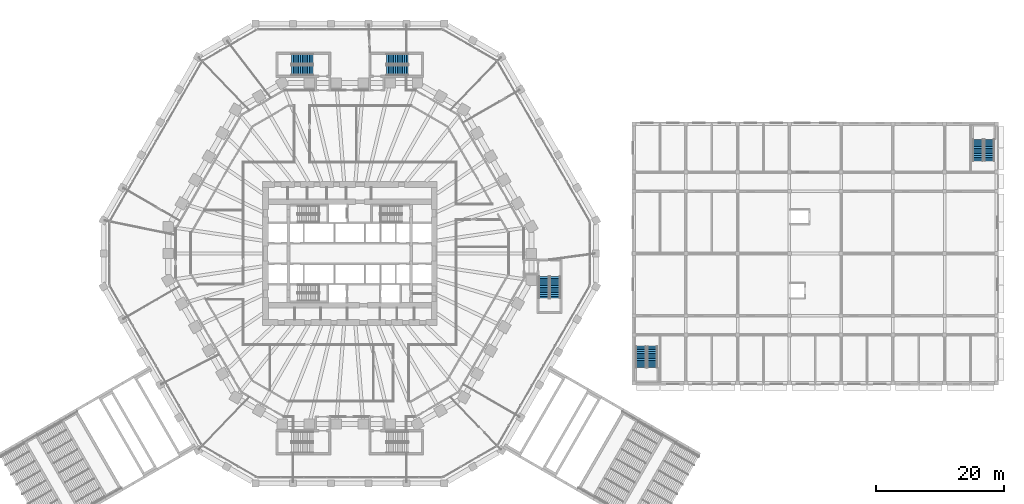
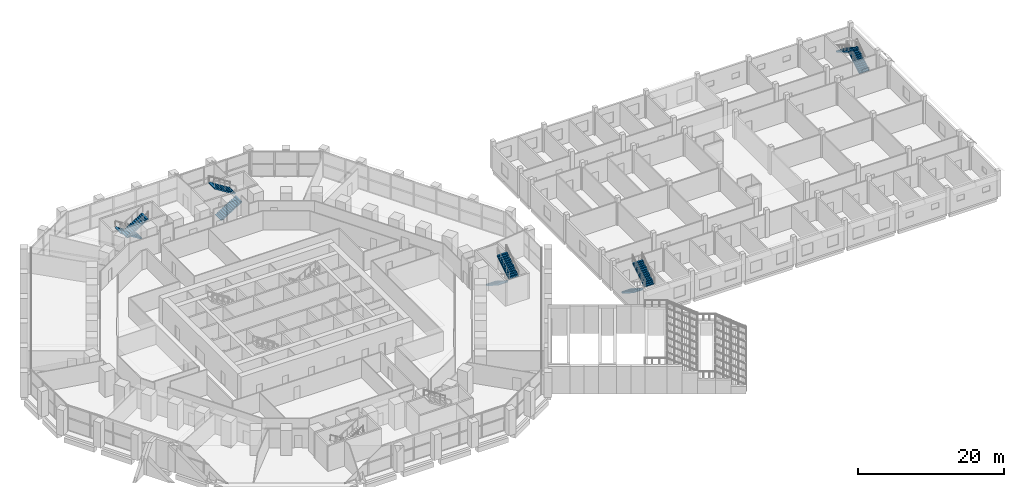
# One storey, part 31 of 38: 10 stair flights, 5 elements without a shape of their own.
"""IFC4 building model written with IfcOpenShell, lengths in metres."""

from ifc_helpers import new_model, si_unit, direction, frame, origin, place, context, subcontext, project, spatial, polyline, outline, extrude, material, layer, layer_set, type_object, element, aggregate, save


model = new_model("IFC4")

# Units and contexts
model_context = context("Model", 3, precision=1e-05, world=origin(), true_north=direction((0.0, 1.0)))
body_context = subcontext(model_context, "Body", "Model", "MODEL_VIEW")
ifc_project = project(units=[si_unit("LENGTHUNIT", "METRE"), si_unit("AREAUNIT", "SQUARE_METRE"), si_unit("VOLUMEUNIT", "CUBIC_METRE"), si_unit("PLANEANGLEUNIT", "RADIAN"), si_unit("MASSUNIT", "GRAM", prefix="KILO")], contexts=[model_context])

# Site, building, storey
site_placement = place(None, origin())
site = spatial("IfcSite", under=ifc_project, at=site_placement, CompositionType="ELEMENT")
building_placement = place(site_placement, origin())
building = spatial("IfcBuilding", under=site, at=building_placement, Name="Frailejon Research Tower", CompositionType="ELEMENT")
storey_placement = place(building_placement, frame((0.0, 0.0, 5.60009765625)))
storey = spatial("IfcBuildingStorey", under=building, at=storey_placement, Name="L01", CompositionType="ELEMENT", Elevation=5.60009765625)

# Stair, stair flights
ifc_material_1 = material(Name="Concrete C35/45", Category="concrete")
stair_type_1 = type_object("IfcStairType", Name="HC stair", PredefinedType="HALF_TURN_STAIR", material=ifc_material_1)
stair_1_placement = place(storey_placement, origin())
stair_1 = element("IfcStair", 1, at=stair_1_placement, inside=storey, type_object=stair_type_1, Name="L01 HC stair A", PredefinedType="HALF_TURN_STAIR")
ifc_material_2 = material(Name="Concrete C35/45", Category="concrete")
stair_flight_type_1 = type_object("IfcStairFlightType", Name="HC stair flight", PredefinedType="STRAIGHT", material=ifc_material_2)
stair_flight_1_placement = place(storey_placement, frame((45.60009765625, -14.5, 0.0), z_axis=(0.0, 0.0, 1.0), x_axis=(0.0, -1.0, 0.0)))
stair_flight_1 = element("IfcStairFlight", 2, at=stair_flight_1_placement, type_object=stair_flight_type_1, Name="HS-A flight 1", NumberOfRisers=13, NumberOfTreads=12, PredefinedType="STRAIGHT", RiserHeight=0.176923077, TreadLength=0.28, context=body_context, shape_type="SweptSolid", body=[
    extrude(outline(polyline([(0.0, 0.0), (0.0, 0.177001953125), (0.280029296875, 0.177001953125), (0.280029296875, 0.353759765625), (0.56005859375, 0.353759765625), (0.56005859375, 0.53076171875), (0.840087890625, 0.53076171875), (0.840087890625, 0.707763671875), (1.1201171875, 0.707763671875), (1.1201171875, 0.884521484375), (1.39990234375, 0.884521484375), (1.39990234375, 1.0615234375), (1.679931640625, 1.0615234375), (1.679931640625, 1.238525390625), (1.9599609375, 1.238525390625), (1.9599609375, 1.415283203125), (2.239990234375, 1.415283203125), (2.239990234375, 1.59228515625), (2.52001953125, 1.59228515625), (2.52001953125, 1.769287109375), (2.800048828125, 1.769287109375), (2.800048828125, 1.946044921875), (3.080078125, 1.946044921875), (3.080078125, 2.123046875), (3.360107421875, 2.123046875), (3.360107421875, 2.300048828125), (3.360107421875, 1.94580078125), (0.280517578125, 0.0), (0.0, 0.0)])), frame((0.0, 0.800048828125, 0.0), z_axis=(0.0, -1.0, 0.0), x_axis=(1.0, 0.0, 0.0)), (0.0, 0.0, 1.0), 1.60009765625),
])
stair_flight_2_placement = place(storey_placement, frame((47.35009765625, -17.860107421875, 2.2998046875), z_axis=(0.0, 0.0, 1.0), x_axis=(0.0, 1.0, 0.0)))
stair_flight_2 = element("IfcStairFlight", 3, at=stair_flight_2_placement, type_object=stair_flight_type_1, Name="HS-A flight 2", NumberOfRisers=13, NumberOfTreads=12, PredefinedType="STRAIGHT", RiserHeight=0.176923077, TreadLength=0.28, context=body_context, shape_type="SweptSolid", body=[
    extrude(outline(polyline([(0.0, 0.0), (0.0, 0.177001953125), (0.280029296875, 0.177001953125), (0.280029296875, 0.353759765625), (0.56005859375, 0.353759765625), (0.56005859375, 0.53076171875), (0.840087890625, 0.53076171875), (0.840087890625, 0.707763671875), (1.1201171875, 0.707763671875), (1.1201171875, 0.884521484375), (1.39990234375, 0.884521484375), (1.39990234375, 1.0615234375), (1.679931640625, 1.0615234375), (1.679931640625, 1.238525390625), (1.9599609375, 1.238525390625), (1.9599609375, 1.415283203125), (2.239990234375, 1.415283203125), (2.239990234375, 1.59228515625), (2.52001953125, 1.59228515625), (2.52001953125, 1.769287109375), (2.800048828125, 1.769287109375), (2.800048828125, 1.946044921875), (3.080078125, 1.946044921875), (3.080078125, 2.123046875), (3.360107421875, 2.123046875), (3.360107421875, 2.300048828125), (3.360107421875, 1.94580078125), (0.280517578125, 0.0), (0.0, 0.0)])), frame((0.0, 0.800048828125, 0.0), z_axis=(0.0, -1.0, 0.0), x_axis=(1.0, 0.0, 0.0)), (0.0, 0.0, 1.0), 1.60009765625),
])
aggregate(stair_1, [stair_flight_1, stair_flight_2])

stair_2_placement = place(storey_placement, origin())
stair_2 = element("IfcStair", 4, at=stair_2_placement, inside=storey, type_object=stair_type_1, Name="L01 HC stair B", PredefinedType="HALF_TURN_STAIR")
stair_flight_3_placement = place(storey_placement, frame((100.10009765625, 14.5, 0.0), z_axis=(0.0, 0.0, 1.0), x_axis=(0.0, 1.0, 0.0)))
stair_flight_3 = element("IfcStairFlight", 5, at=stair_flight_3_placement, type_object=stair_flight_type_1, Name="HS-B flight 1", NumberOfRisers=13, NumberOfTreads=12, PredefinedType="STRAIGHT", RiserHeight=0.176923077, TreadLength=0.28, context=body_context, shape_type="SweptSolid", body=[
    extrude(outline(polyline([(0.0, 0.0), (0.0, 0.177001953125), (0.280029296875, 0.177001953125), (0.280029296875, 0.353759765625), (0.56005859375, 0.353759765625), (0.56005859375, 0.53076171875), (0.840087890625, 0.53076171875), (0.840087890625, 0.707763671875), (1.1201171875, 0.707763671875), (1.1201171875, 0.884521484375), (1.39990234375, 0.884521484375), (1.39990234375, 1.0615234375), (1.679931640625, 1.0615234375), (1.679931640625, 1.238525390625), (1.9599609375, 1.238525390625), (1.9599609375, 1.415283203125), (2.239990234375, 1.415283203125), (2.239990234375, 1.59228515625), (2.52001953125, 1.59228515625), (2.52001953125, 1.769287109375), (2.800048828125, 1.769287109375), (2.800048828125, 1.946044921875), (3.080078125, 1.946044921875), (3.080078125, 2.123046875), (3.360107421875, 2.123046875), (3.360107421875, 2.300048828125), (3.360107421875, 1.94580078125), (0.280517578125, 0.0), (0.0, 0.0)])), frame((0.0, 0.800048828125, 0.0), z_axis=(0.0, -1.0, 0.0), x_axis=(1.0, 0.0, 0.0)), (0.0, 0.0, 1.0), 1.60009765625),
])
stair_flight_4_placement = place(storey_placement, frame((98.35009765625, 17.860107421875, 2.2998046875), z_axis=(0.0, 0.0, 1.0), x_axis=(0.0, -1.0, 0.0)))
stair_flight_4 = element("IfcStairFlight", 6, at=stair_flight_4_placement, type_object=stair_flight_type_1, Name="HS-B flight 2", NumberOfRisers=13, NumberOfTreads=12, PredefinedType="STRAIGHT", RiserHeight=0.176923077, TreadLength=0.28, context=body_context, shape_type="SweptSolid", body=[
    extrude(outline(polyline([(0.0, 0.0), (0.0, 0.177001953125), (0.280029296875, 0.177001953125), (0.280029296875, 0.353759765625), (0.56005859375, 0.353759765625), (0.56005859375, 0.53076171875), (0.840087890625, 0.53076171875), (0.840087890625, 0.707763671875), (1.1201171875, 0.707763671875), (1.1201171875, 0.884521484375), (1.39990234375, 0.884521484375), (1.39990234375, 1.0615234375), (1.679931640625, 1.0615234375), (1.679931640625, 1.238525390625), (1.9599609375, 1.238525390625), (1.9599609375, 1.415283203125), (2.239990234375, 1.415283203125), (2.239990234375, 1.59228515625), (2.52001953125, 1.59228515625), (2.52001953125, 1.769287109375), (2.800048828125, 1.769287109375), (2.800048828125, 1.946044921875), (3.080078125, 1.946044921875), (3.080078125, 2.123046875), (3.360107421875, 2.123046875), (3.360107421875, 2.300048828125), (3.360107421875, 1.94580078125), (0.280517578125, 0.0), (0.0, 0.0)])), frame((0.0, 0.800048828125, 0.0), z_axis=(0.0, -1.0, 0.0), x_axis=(1.0, 0.0, 0.0)), (0.0, 0.0, 1.0), 1.60009765625),
])
aggregate(stair_2, [stair_flight_3, stair_flight_4])

ifc_material_3 = material(Name="Concrete C50/60", Category="concrete")
stair_type_2 = type_object("IfcStairType", Name="Exit stair 26 risers", PredefinedType="HALF_TURN_STAIR", material=ifc_material_3)
stair_3_placement = place(storey_placement, origin())
stair_3 = element("IfcStair", 7, at=stair_3_placement, inside=storey, type_object=stair_type_2, Name="L01 Exit stair PS1", PredefinedType="HALF_TURN_STAIR")
ifc_material_4 = material(Name="Concrete C50/60", Category="concrete")
ifc_layer = layer(ifc_material_4, 0.14990234375)
ifc_layer_set = layer_set([ifc_layer], Name="Stair flight 13 risers")
stair_flight_type_2 = type_object("IfcStairFlightType", Name="Stair flight 13 risers", PredefinedType="STRAIGHT", material=ifc_layer_set)
stair_flight_5_placement = place(storey_placement, frame((-5.7568359375, 30.425048828125, 0.0), z_axis=(0.0, 0.0, 1.0), x_axis=(-1.0, 0.0, 0.0)))
stair_flight_5 = element("IfcStairFlight", 8, at=stair_flight_5_placement, type_object=stair_flight_type_2, Name="PS1 flight 1", NumberOfRisers=13, NumberOfTreads=12, PredefinedType="STRAIGHT", RiserHeight=0.176923077, TreadLength=0.28, context=body_context, shape_type="SweptSolid", body=[
    extrude(outline(polyline([(0.0, 0.0), (0.0, 0.177001953125), (0.280029296875, 0.177001953125), (0.280029296875, 0.353759765625), (0.56005859375, 0.353759765625), (0.56005859375, 0.53076171875), (0.840087890625, 0.53076171875), (0.840087890625, 0.707763671875), (1.1201171875, 0.707763671875), (1.1201171875, 0.884521484375), (1.39990234375, 0.884521484375), (1.39990234375, 1.0615234375), (1.679931640625, 1.0615234375), (1.679931640625, 1.238525390625), (1.9599609375, 1.238525390625), (1.9599609375, 1.415283203125), (2.239990234375, 1.415283203125), (2.239990234375, 1.59228515625), (2.52001953125, 1.59228515625), (2.52001953125, 1.769287109375), (2.800048828125, 1.769287109375), (2.800048828125, 1.946044921875), (3.080078125, 1.946044921875), (3.080078125, 2.123046875), (3.360107421875, 2.123046875), (3.360107421875, 2.300048828125), (3.360107421875, 1.94580078125), (0.280517578125, 0.0), (0.0, 0.0)])), frame((0.0, 0.800048828125, 0.0), z_axis=(0.0, -1.0, 0.0), x_axis=(1.0, 0.0, 0.0)), (0.0, 0.0, 1.0), 1.60009765625),
])
stair_flight_6_placement = place(storey_placement, frame((-9.116943359375, 28.675048828125, 2.2998046875), z_axis=(0.0, 0.0, 1.0), x_axis=(1.0, 0.0, 0.0)))
stair_flight_6 = element("IfcStairFlight", 9, at=stair_flight_6_placement, type_object=stair_flight_type_2, Name="PS1 flight 2", NumberOfRisers=13, NumberOfTreads=12, PredefinedType="STRAIGHT", RiserHeight=0.176923077, TreadLength=0.28, context=body_context, shape_type="SweptSolid", body=[
    extrude(outline(polyline([(0.0, 0.0), (0.0, 0.177001953125), (0.280029296875, 0.177001953125), (0.280029296875, 0.353759765625), (0.56005859375, 0.353759765625), (0.56005859375, 0.53076171875), (0.840087890625, 0.53076171875), (0.840087890625, 0.707763671875), (1.1201171875, 0.707763671875), (1.1201171875, 0.884521484375), (1.39990234375, 0.884521484375), (1.39990234375, 1.0615234375), (1.679931640625, 1.0615234375), (1.679931640625, 1.238525390625), (1.9599609375, 1.238525390625), (1.9599609375, 1.415283203125), (2.239990234375, 1.415283203125), (2.239990234375, 1.59228515625), (2.52001953125, 1.59228515625), (2.52001953125, 1.769287109375), (2.800048828125, 1.769287109375), (2.800048828125, 1.946044921875), (3.080078125, 1.946044921875), (3.080078125, 2.123046875), (3.360107421875, 2.123046875), (3.360107421875, 2.300048828125), (3.360107421875, 1.94580078125), (0.280517578125, 0.0), (0.0, 0.0)])), frame((0.0, 0.800048828125, 0.0), z_axis=(0.0, -1.0, 0.0), x_axis=(1.0, 0.0, 0.0)), (0.0, 0.0, 1.0), 1.60009765625),
])
aggregate(stair_3, [stair_flight_5, stair_flight_6])

stair_4_placement = place(storey_placement, origin())
stair_4 = element("IfcStair", 10, at=stair_4_placement, inside=storey, type_object=stair_type_2, Name="L01 Exit stair PS2", PredefinedType="HALF_TURN_STAIR")
stair_flight_7_placement = place(storey_placement, frame((5.7568359375, 28.675048828125, 0.0), z_axis=(0.0, 0.0, 1.0), x_axis=(1.0, 0.0, 0.0)))
stair_flight_7 = element("IfcStairFlight", 11, at=stair_flight_7_placement, type_object=stair_flight_type_2, Name="PS2 flight 1", NumberOfRisers=13, NumberOfTreads=12, PredefinedType="STRAIGHT", RiserHeight=0.176923077, TreadLength=0.28, context=body_context, shape_type="SweptSolid", body=[
    extrude(outline(polyline([(0.0, 0.0), (0.0, 0.177001953125), (0.280029296875, 0.177001953125), (0.280029296875, 0.353759765625), (0.56005859375, 0.353759765625), (0.56005859375, 0.53076171875), (0.840087890625, 0.53076171875), (0.840087890625, 0.707763671875), (1.1201171875, 0.707763671875), (1.1201171875, 0.884521484375), (1.39990234375, 0.884521484375), (1.39990234375, 1.0615234375), (1.679931640625, 1.0615234375), (1.679931640625, 1.238525390625), (1.9599609375, 1.238525390625), (1.9599609375, 1.415283203125), (2.239990234375, 1.415283203125), (2.239990234375, 1.59228515625), (2.52001953125, 1.59228515625), (2.52001953125, 1.769287109375), (2.800048828125, 1.769287109375), (2.800048828125, 1.946044921875), (3.080078125, 1.946044921875), (3.080078125, 2.123046875), (3.360107421875, 2.123046875), (3.360107421875, 2.300048828125), (3.360107421875, 1.94580078125), (0.280517578125, 0.0), (0.0, 0.0)])), frame((0.0, 0.800048828125, 0.0), z_axis=(0.0, -1.0, 0.0), x_axis=(1.0, 0.0, 0.0)), (0.0, 0.0, 1.0), 1.60009765625),
])
stair_flight_8_placement = place(storey_placement, frame((9.116943359375, 30.425048828125, 2.2998046875), z_axis=(0.0, 0.0, 1.0), x_axis=(-1.0, 0.0, 0.0)))
stair_flight_8 = element("IfcStairFlight", 12, at=stair_flight_8_placement, type_object=stair_flight_type_2, Name="PS2 flight 2", NumberOfRisers=13, NumberOfTreads=12, PredefinedType="STRAIGHT", RiserHeight=0.176923077, TreadLength=0.28, context=body_context, shape_type="SweptSolid", body=[
    extrude(outline(polyline([(0.0, 0.0), (0.0, 0.177001953125), (0.280029296875, 0.177001953125), (0.280029296875, 0.353759765625), (0.56005859375, 0.353759765625), (0.56005859375, 0.53076171875), (0.840087890625, 0.53076171875), (0.840087890625, 0.707763671875), (1.1201171875, 0.707763671875), (1.1201171875, 0.884521484375), (1.39990234375, 0.884521484375), (1.39990234375, 1.0615234375), (1.679931640625, 1.0615234375), (1.679931640625, 1.238525390625), (1.9599609375, 1.238525390625), (1.9599609375, 1.415283203125), (2.239990234375, 1.415283203125), (2.239990234375, 1.59228515625), (2.52001953125, 1.59228515625), (2.52001953125, 1.769287109375), (2.800048828125, 1.769287109375), (2.800048828125, 1.946044921875), (3.080078125, 1.946044921875), (3.080078125, 2.123046875), (3.360107421875, 2.123046875), (3.360107421875, 2.300048828125), (3.360107421875, 1.94580078125), (0.280517578125, 0.0), (0.0, 0.0)])), frame((0.0, 0.800048828125, 0.0), z_axis=(0.0, -1.0, 0.0), x_axis=(1.0, 0.0, 0.0)), (0.0, 0.0, 1.0), 1.60009765625),
])
aggregate(stair_4, [stair_flight_7, stair_flight_8])

stair_5_placement = place(storey_placement, origin())
stair_5 = element("IfcStair", 13, at=stair_5_placement, inside=storey, type_object=stair_type_2, Name="L01 Exit stair PS5", PredefinedType="HALF_TURN_STAIR")
stair_flight_9_placement = place(storey_placement, frame((30.3876953125, -3.618896484375, 0.0), z_axis=(0.0, 0.0, 1.0), x_axis=(0.0, -1.0, 0.0)))
stair_flight_9 = element("IfcStairFlight", 14, at=stair_flight_9_placement, type_object=stair_flight_type_2, Name="PS5 flight 1", NumberOfRisers=13, NumberOfTreads=12, PredefinedType="STRAIGHT", RiserHeight=0.176923077, TreadLength=0.28, context=body_context, shape_type="SweptSolid", body=[
    extrude(outline(polyline([(0.0, 0.0), (0.0, 0.177001953125), (0.280029296875, 0.177001953125), (0.280029296875, 0.353759765625), (0.56005859375, 0.353759765625), (0.56005859375, 0.53076171875), (0.840087890625, 0.53076171875), (0.840087890625, 0.707763671875), (1.1201171875, 0.707763671875), (1.1201171875, 0.884521484375), (1.39990234375, 0.884521484375), (1.39990234375, 1.0615234375), (1.679931640625, 1.0615234375), (1.679931640625, 1.238525390625), (1.9599609375, 1.238525390625), (1.9599609375, 1.415283203125), (2.239990234375, 1.415283203125), (2.239990234375, 1.59228515625), (2.52001953125, 1.59228515625), (2.52001953125, 1.769287109375), (2.800048828125, 1.769287109375), (2.800048828125, 1.946044921875), (3.080078125, 1.946044921875), (3.080078125, 2.123046875), (3.360107421875, 2.123046875), (3.360107421875, 2.300048828125), (3.360107421875, 1.94580078125), (0.280517578125, 0.0), (0.0, 0.0)])), frame((0.0, 0.800048828125, 0.0), z_axis=(0.0, -1.0, 0.0), x_axis=(1.0, 0.0, 0.0)), (0.0, 0.0, 1.0), 1.60009765625),
])
stair_flight_10_placement = place(storey_placement, frame((32.1376953125, -6.978759765625, 2.2998046875), z_axis=(0.0, 0.0, 1.0), x_axis=(0.0, 1.0, 0.0)))
stair_flight_10 = element("IfcStairFlight", 15, at=stair_flight_10_placement, type_object=stair_flight_type_2, Name="PS5 flight 2", NumberOfRisers=13, NumberOfTreads=12, PredefinedType="STRAIGHT", RiserHeight=0.176923077, TreadLength=0.28, context=body_context, shape_type="SweptSolid", body=[
    extrude(outline(polyline([(0.0, 0.0), (0.0, 0.177001953125), (0.280029296875, 0.177001953125), (0.280029296875, 0.353759765625), (0.56005859375, 0.353759765625), (0.56005859375, 0.53076171875), (0.840087890625, 0.53076171875), (0.840087890625, 0.707763671875), (1.1201171875, 0.707763671875), (1.1201171875, 0.884521484375), (1.39990234375, 0.884521484375), (1.39990234375, 1.0615234375), (1.679931640625, 1.0615234375), (1.679931640625, 1.238525390625), (1.9599609375, 1.238525390625), (1.9599609375, 1.415283203125), (2.239990234375, 1.415283203125), (2.239990234375, 1.59228515625), (2.52001953125, 1.59228515625), (2.52001953125, 1.769287109375), (2.800048828125, 1.769287109375), (2.800048828125, 1.946044921875), (3.080078125, 1.946044921875), (3.080078125, 2.123046875), (3.360107421875, 2.123046875), (3.360107421875, 2.300048828125), (3.360107421875, 1.94580078125), (0.280517578125, 0.0), (0.0, 0.0)])), frame((0.0, 0.800048828125, 0.0), z_axis=(0.0, -1.0, 0.0), x_axis=(1.0, 0.0, 0.0)), (0.0, 0.0, 1.0), 1.60009765625),
])
aggregate(stair_5, [stair_flight_9, stair_flight_10])

save(model, "model.ifc")
